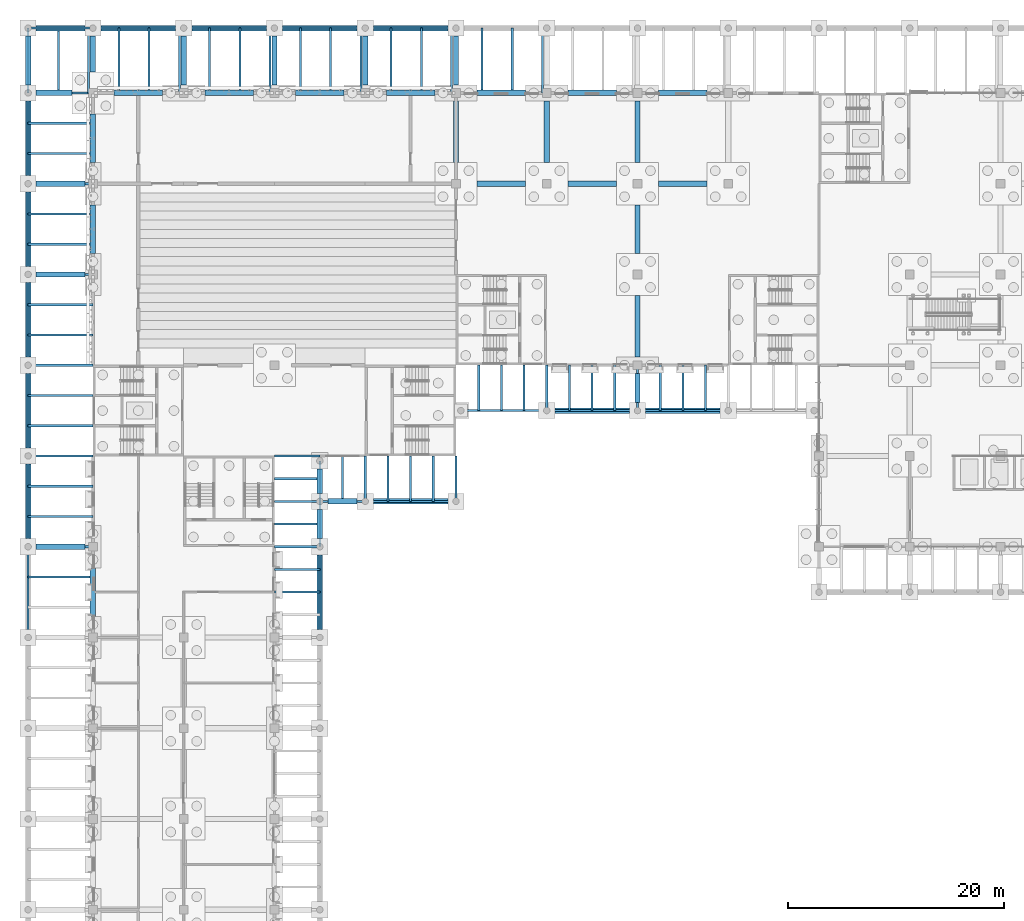
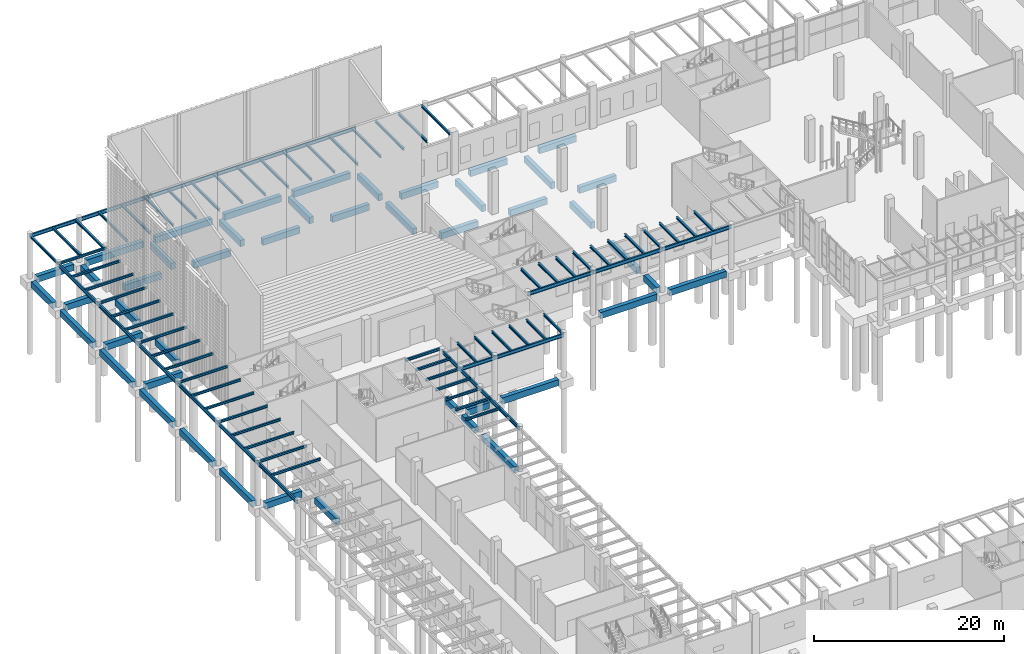
# One storey, part 11 of 82: 64 beams, 59 members.
"""IFC4 building model written with IfcOpenShell, lengths in metres."""

from ifc_helpers import new_model, si_unit, direction, frame, origin, origin_2d, place, context, subcontext, project, spatial, rectangle, i_section, extrude, material, material_profile, profile_set, type_object, element, save


model = new_model("IFC4")

# Units and contexts
model_context = context("Model", 3, precision=1e-05, world=origin(), true_north=direction((0.0, 1.0)))
body_context = subcontext(model_context, "Body", "Model", "MODEL_VIEW")
ifc_project = project(units=[si_unit("LENGTHUNIT", "METRE"), si_unit("AREAUNIT", "SQUARE_METRE"), si_unit("VOLUMEUNIT", "CUBIC_METRE"), si_unit("PLANEANGLEUNIT", "RADIAN"), si_unit("MASSUNIT", "GRAM", prefix="KILO")], contexts=[model_context])

# Site, building, storey
site_placement = place(None, origin())
site = spatial("IfcSite", under=ifc_project, at=site_placement, CompositionType="ELEMENT")
building_placement = place(site_placement, origin())
building = spatial("IfcBuilding", under=site, at=building_placement, Name="Almond Square Museum", CompositionType="ELEMENT")
storey_placement = place(building_placement, origin())
storey = spatial("IfcBuildingStorey", under=building, at=storey_placement, Name="L00", CompositionType="ELEMENT", Elevation=0.0)

# Beams
ifc_material_1 = material(Name="Structural steel S355", Category="steel")
ifc_material_profile_1 = material_profile(ifc_material_1, i_section(OverallWidth=0.19091796875, OverallDepth=0.45703125, WebThickness=0.009033203125, FlangeThickness=0.014404296875, at=origin_2d()))
ifc_profile_set_1 = profile_set([ifc_material_profile_1], Name="Structural steel S355")
beam_type_1 = type_object("IfcBeamType", Name="Eave beam W460x74", PredefinedType="BEAM", material=ifc_profile_set_1)
beam_1_placement = place(storey_placement, frame((0.0, 115.199951171875, 5.021484375), z_axis=(1.0, 0.0, 0.0), x_axis=(0.0, 1.0, 0.0)))
element("IfcBeam", 1, at=beam_1_placement, inside=storey, type_object=beam_type_1, Name="ARN roof edge beam 1", PredefinedType="BEAM", context=body_context, shape_type="SweptSolid", body=[
    extrude(i_section(OverallWidth=0.19091796875, OverallDepth=0.45703125, WebThickness=0.009033203125, FlangeThickness=0.014404296875, at=origin_2d()), origin(), (0.0, 0.0, 1.0), 6.0),
])
beam_2_placement = place(storey_placement, frame((6.0, 115.199951171875, 5.021484375), z_axis=(1.0, 0.0, 0.0), x_axis=(0.0, 1.0, 0.0)))
element("IfcBeam", 2, at=beam_2_placement, inside=storey, type_object=beam_type_1, Name="ARN roof edge beam 2", PredefinedType="BEAM", context=body_context, shape_type="SweptSolid", body=[
    extrude(i_section(OverallWidth=0.19091796875, OverallDepth=0.45703125, WebThickness=0.009033203125, FlangeThickness=0.014404296875, at=origin_2d()), origin(), (0.0, 0.0, 1.0), 8.39990234375),
])
beam_3_placement = place(storey_placement, frame((14.39990234375, 115.199951171875, 5.021484375), z_axis=(1.0, 0.0, 0.0), x_axis=(0.0, 1.0, 0.0)))
element("IfcBeam", 3, at=beam_3_placement, inside=storey, type_object=beam_type_1, Name="ARN roof edge beam 3", PredefinedType="BEAM", context=body_context, shape_type="SweptSolid", body=[
    extrude(i_section(OverallWidth=0.19091796875, OverallDepth=0.45703125, WebThickness=0.009033203125, FlangeThickness=0.014404296875, at=origin_2d()), origin(), (0.0, 0.0, 1.0), 8.400146484375),
])
beam_4_placement = place(storey_placement, frame((22.800048828125, 115.199951171875, 5.021484375), z_axis=(1.0, 0.0, 0.0), x_axis=(0.0, 1.0, 0.0)))
element("IfcBeam", 4, at=beam_4_placement, inside=storey, type_object=beam_type_1, Name="ARN roof edge beam 4", PredefinedType="BEAM", context=body_context, shape_type="SweptSolid", body=[
    extrude(i_section(OverallWidth=0.19091796875, OverallDepth=0.45703125, WebThickness=0.009033203125, FlangeThickness=0.014404296875, at=origin_2d()), origin(), (0.0, 0.0, 1.0), 8.39990234375),
])
beam_5_placement = place(storey_placement, frame((31.199951171875, 115.199951171875, 5.021484375), z_axis=(1.0, 0.0, 0.0), x_axis=(0.0, 1.0, 0.0)))
element("IfcBeam", 5, at=beam_5_placement, inside=storey, type_object=beam_type_1, Name="ARN roof edge beam 5", PredefinedType="BEAM", context=body_context, shape_type="SweptSolid", body=[
    extrude(i_section(OverallWidth=0.19091796875, OverallDepth=0.45703125, WebThickness=0.009033203125, FlangeThickness=0.014404296875, at=origin_2d()), origin(), (0.0, 0.0, 1.0), 8.400146484375),
])
beam_6_placement = place(storey_placement, frame((0.0, 58.800048828125, 5.021484375), z_axis=(0.0, 1.0, 0.0), x_axis=(-1.0, 0.0, 0.0)))
element("IfcBeam", 6, at=beam_6_placement, inside=storey, type_object=beam_type_1, Name="ARW roof edge beam 8", PredefinedType="BEAM", context=body_context, shape_type="SweptSolid", body=[
    extrude(i_section(OverallWidth=0.19091796875, OverallDepth=0.45703125, WebThickness=0.009033203125, FlangeThickness=0.014404296875, at=origin_2d()), origin(), (0.0, 0.0, 1.0), 8.39990234375),
])
beam_7_placement = place(storey_placement, frame((0.0, 67.199951171875, 5.021484375), z_axis=(0.0, 1.0, 0.0), x_axis=(-1.0, 0.0, 0.0)))
element("IfcBeam", 7, at=beam_7_placement, inside=storey, type_object=beam_type_1, Name="ARW roof edge beam 9", PredefinedType="BEAM", context=body_context, shape_type="SweptSolid", body=[
    extrude(i_section(OverallWidth=0.19091796875, OverallDepth=0.45703125, WebThickness=0.009033203125, FlangeThickness=0.014404296875, at=origin_2d()), origin(), (0.0, 0.0, 1.0), 8.400146484375),
])
for number, where, z_axis, x_axis, name in (
    (8, (0.0, 75.60009765625, 5.021484375), (0.0, 1.0, 0.0), (-1.0, 0.0, 0.0), "ARW roof edge beam 10"),
    (9, (0.0, 84.0, 5.021484375), (0.0, 1.0, 0.0), (-1.0, 0.0, 0.0), "ARW roof edge beam 11"),
):
    element("IfcBeam", number, at=place(storey_placement, frame(where, z_axis=z_axis, x_axis=x_axis)), inside=storey, type_object=beam_type_1, Name=name, PredefinedType="BEAM", context=body_context, shape_type="SweptSolid", body=[
        extrude(i_section(OverallWidth=0.19091796875, OverallDepth=0.45703125, WebThickness=0.009033203125, FlangeThickness=0.014404296875, at=origin_2d()), origin(), (0.0, 0.0, 1.0), 8.39990234375),
    ])
beam_8_placement = place(storey_placement, frame((0.0, 92.39990234375, 5.021484375), z_axis=(0.0, 1.0, 0.0), x_axis=(-1.0, 0.0, 0.0)))
element("IfcBeam", 10, at=beam_8_placement, inside=storey, type_object=beam_type_1, Name="ARW roof edge beam 12", PredefinedType="BEAM", context=body_context, shape_type="SweptSolid", body=[
    extrude(i_section(OverallWidth=0.19091796875, OverallDepth=0.45703125, WebThickness=0.009033203125, FlangeThickness=0.014404296875, at=origin_2d()), origin(), (0.0, 0.0, 1.0), 8.400146484375),
])
for number, where, z_axis, x_axis, name in (
    (11, (0.0, 100.800048828125, 5.021484375), (0.0, 1.0, 0.0), (-1.0, 0.0, 0.0), "ARW roof edge beam 13"),
    (12, (27.0, 58.800048828125, 5.021484375), (0.0, 1.0, 0.0), (-1.0, 0.0, 0.0), "LG-V4W roof edge beam 6"),
):
    element("IfcBeam", number, at=place(storey_placement, frame(where, z_axis=z_axis, x_axis=x_axis)), inside=storey, type_object=beam_type_1, Name=name, PredefinedType="BEAM", context=body_context, shape_type="SweptSolid", body=[
        extrude(i_section(OverallWidth=0.19091796875, OverallDepth=0.45703125, WebThickness=0.009033203125, FlangeThickness=0.014404296875, at=origin_2d()), origin(), (0.0, 0.0, 1.0), 8.39990234375),
    ])
beam_9_placement = place(storey_placement, frame((27.0, 67.199951171875, 5.021484375), z_axis=(0.0, 1.0, 0.0), x_axis=(-1.0, 0.0, 0.0)))
element("IfcBeam", 13, at=beam_9_placement, inside=storey, type_object=beam_type_1, Name="LG-V4W roof edge beam 7", PredefinedType="BEAM", context=body_context, shape_type="SweptSolid", body=[
    extrude(i_section(OverallWidth=0.19091796875, OverallDepth=0.45703125, WebThickness=0.009033203125, FlangeThickness=0.014404296875, at=origin_2d()), origin(), (0.0, 0.0, 1.0), 7.949951171875),
])
beam_10_placement = place(storey_placement, frame((27.0, 71.39990234375, 5.021484375), z_axis=(1.0, 0.0, 0.0), x_axis=(0.0, 1.0, 0.0)))
element("IfcBeam", 14, at=beam_10_placement, inside=storey, type_object=beam_type_1, Name="LG-V3 roof edge beam 1", PredefinedType="BEAM", context=body_context, shape_type="SweptSolid", body=[
    extrude(i_section(OverallWidth=0.19091796875, OverallDepth=0.45703125, WebThickness=0.009033203125, FlangeThickness=0.014404296875, at=origin_2d()), origin(), (0.0, 0.0, 1.0), 4.199951171875),
])
beam_11_placement = place(storey_placement, frame((31.199951171875, 71.39990234375, 5.021484375), z_axis=(1.0, 0.0, 0.0), x_axis=(0.0, 1.0, 0.0)))
element("IfcBeam", 15, at=beam_11_placement, inside=storey, type_object=beam_type_1, Name="LG-V3 roof edge beam 2", PredefinedType="BEAM", context=body_context, shape_type="SweptSolid", body=[
    extrude(i_section(OverallWidth=0.19091796875, OverallDepth=0.45703125, WebThickness=0.009033203125, FlangeThickness=0.014404296875, at=origin_2d()), origin(), (0.0, 0.0, 1.0), 8.400146484375),
])
beam_12_placement = place(storey_placement, frame((40.050048828125, 79.800048828125, 5.021484375), z_axis=(1.0, 0.0, 0.0), x_axis=(0.0, 1.0, 0.0)))
element("IfcBeam", 16, at=beam_12_placement, inside=storey, type_object=beam_type_1, Name="LG-V4N roof edge beam 1", PredefinedType="BEAM", context=body_context, shape_type="SweptSolid", body=[
    extrude(i_section(OverallWidth=0.19091796875, OverallDepth=0.45703125, WebThickness=0.009033203125, FlangeThickness=0.014404296875, at=origin_2d()), origin(), (0.0, 0.0, 1.0), 7.949951171875),
])
beam_13_placement = place(storey_placement, frame((48.0, 79.800048828125, 5.021484375), z_axis=(1.0, 0.0, 0.0), x_axis=(0.0, 1.0, 0.0)))
element("IfcBeam", 17, at=beam_13_placement, inside=storey, type_object=beam_type_1, Name="LG-V4N roof edge beam 2", PredefinedType="BEAM", context=body_context, shape_type="SweptSolid", body=[
    extrude(i_section(OverallWidth=0.19091796875, OverallDepth=0.45703125, WebThickness=0.009033203125, FlangeThickness=0.014404296875, at=origin_2d()), origin(), (0.0, 0.0, 1.0), 8.39990234375),
])
beam_14_placement = place(storey_placement, frame((56.39990234375, 79.800048828125, 5.021484375), z_axis=(1.0, 0.0, 0.0), x_axis=(0.0, 1.0, 0.0)))
element("IfcBeam", 18, at=beam_14_placement, inside=storey, type_object=beam_type_1, Name="LG-V4N roof edge beam 3", PredefinedType="BEAM", context=body_context, shape_type="SweptSolid", body=[
    extrude(i_section(OverallWidth=0.19091796875, OverallDepth=0.45703125, WebThickness=0.009033203125, FlangeThickness=0.014404296875, at=origin_2d()), origin(), (0.0, 0.0, 1.0), 8.400146484375),
])
ifc_material_2 = material(Name="Concrete C35/45", Category="concrete")
ifc_material_profile_2 = material_profile(ifc_material_2, rectangle(XDim=0.5, YDim=0.800048828125, at=origin_2d()))
ifc_profile_set_2 = profile_set([ifc_material_profile_2], Name="Concrete C35/45")
beam_type_2 = type_object("IfcBeamType", Name="RC ground beam 500 x 800 C35/45", PredefinedType="BEAM", material=ifc_profile_set_2)
beam_15_placement = place(storey_placement, frame((0.75, 67.199951171875, -0.699951171875), z_axis=(1.0, 0.0, 0.0), x_axis=(0.0, 1.0, 0.0)))
element("IfcBeam", 19, at=beam_15_placement, inside=storey, type_object=beam_type_2, Name="Ground beam 088", PredefinedType="BEAM", context=body_context, shape_type="SweptSolid", body=[
    extrude(rectangle(XDim=0.5, YDim=0.800048828125, at=origin_2d()), origin(), (0.0, 0.0, 1.0), 4.5),
])
beam_16_placement = place(storey_placement, frame((27.75, 71.39990234375, -0.699951171875), z_axis=(1.0, 0.0, 0.0), x_axis=(0.0, 1.0, 0.0)))
element("IfcBeam", 20, at=beam_16_placement, inside=storey, type_object=beam_type_2, Name="Ground beam 097", PredefinedType="BEAM", context=body_context, shape_type="SweptSolid", body=[
    extrude(rectangle(XDim=0.5, YDim=0.800048828125, at=origin_2d()), origin(), (0.0, 0.0, 1.0), 2.699951171875),
])
beam_17_placement = place(storey_placement, frame((31.949951171875, 71.39990234375, -0.699951171875), z_axis=(1.0, 0.0, 0.0), x_axis=(0.0, 1.0, 0.0)))
element("IfcBeam", 21, at=beam_17_placement, inside=storey, type_object=beam_type_2, Name="Ground beam 098", PredefinedType="BEAM", context=body_context, shape_type="SweptSolid", body=[
    extrude(rectangle(XDim=0.5, YDim=0.800048828125, at=origin_2d()), origin(), (0.0, 0.0, 1.0), 6.900146484375),
])
beam_18_placement = place(storey_placement, frame((48.75, 79.800048828125, -0.699951171875), z_axis=(1.0, 0.0, 0.0), x_axis=(0.0, 1.0, 0.0)))
element("IfcBeam", 22, at=beam_18_placement, inside=storey, type_object=beam_type_2, Name="Ground beam 103", PredefinedType="BEAM", context=body_context, shape_type="SweptSolid", body=[
    extrude(rectangle(XDim=0.5, YDim=0.800048828125, at=origin_2d()), origin(), (0.0, 0.0, 1.0), 6.89990234375),
])
beam_19_placement = place(storey_placement, frame((57.14990234375, 79.800048828125, -0.699951171875), z_axis=(1.0, 0.0, 0.0), x_axis=(0.0, 1.0, 0.0)))
element("IfcBeam", 23, at=beam_19_placement, inside=storey, type_object=beam_type_2, Name="Ground beam 104", PredefinedType="BEAM", context=body_context, shape_type="SweptSolid", body=[
    extrude(rectangle(XDim=0.5, YDim=0.800048828125, at=origin_2d()), origin(), (0.0, 0.0, 1.0), 6.900146484375),
])
for number, where, z_axis, x_axis, name in (
    (24, (0.75, 92.39990234375, -0.699951171875), (1.0, 0.0, 0.0), (0.0, 1.0, 0.0), "Ground beam 113"),
    (25, (0.75, 100.800048828125, -0.699951171875), (1.0, 0.0, 0.0), (0.0, 1.0, 0.0), "Ground beam 124"),
    (26, (41.550048828125, 100.800048828125, -0.699951171875), (1.0, 0.0, 0.0), (0.0, 1.0, 0.0), "Ground beam 125"),
    (27, (49.949951171875, 100.800048828125, -0.699951171875), (1.0, 0.0, 0.0), (0.0, 1.0, 0.0), "Ground beam 126"),
    (28, (58.35009765625, 100.800048828125, -0.699951171875), (1.0, 0.0, 0.0), (0.0, 1.0, 0.0), "Ground beam 127"),
):
    element("IfcBeam", number, at=place(storey_placement, frame(where, z_axis=z_axis, x_axis=x_axis)), inside=storey, type_object=beam_type_2, Name=name, PredefinedType="BEAM", context=body_context, shape_type="SweptSolid", body=[
        extrude(rectangle(XDim=0.5, YDim=0.800048828125, at=origin_2d()), origin(), (0.0, 0.0, 1.0), 4.5),
    ])
beam_20_placement = place(storey_placement, frame((0.75, 109.199951171875, -0.699951171875), z_axis=(1.0, 0.0, 0.0), x_axis=(0.0, 1.0, 0.0)))
element("IfcBeam", 29, at=beam_20_placement, inside=storey, type_object=beam_type_2, Name="Ground beam 132", PredefinedType="BEAM", context=body_context, shape_type="SweptSolid", body=[
    extrude(rectangle(XDim=0.5, YDim=0.800048828125, at=origin_2d()), origin(), (0.0, 0.0, 1.0), 3.300048828125),
])
for number, where, z_axis, x_axis, name in (
    (30, (7.949951171875, 109.199951171875, -0.699951171875), (1.0, 0.0, 0.0), (0.0, 1.0, 0.0), "Ground beam 133"),
    (31, (16.35009765625, 109.199951171875, -0.699951171875), (1.0, 0.0, 0.0), (0.0, 1.0, 0.0), "Ground beam 134"),
    (32, (24.75, 109.199951171875, -0.699951171875), (1.0, 0.0, 0.0), (0.0, 1.0, 0.0), "Ground beam 135"),
    (33, (33.14990234375, 109.199951171875, -0.699951171875), (1.0, 0.0, 0.0), (0.0, 1.0, 0.0), "Ground beam 136"),
    (34, (41.550048828125, 109.199951171875, -0.699951171875), (1.0, 0.0, 0.0), (0.0, 1.0, 0.0), "Ground beam 137"),
    (35, (49.949951171875, 109.199951171875, -0.699951171875), (1.0, 0.0, 0.0), (0.0, 1.0, 0.0), "Ground beam 138"),
    (36, (58.35009765625, 109.199951171875, -0.699951171875), (1.0, 0.0, 0.0), (0.0, 1.0, 0.0), "Ground beam 139"),
    (37, (0.75, 115.199951171875, -0.699951171875), (1.0, 0.0, 0.0), (0.0, 1.0, 0.0), "Ground beam 144"),
):
    element("IfcBeam", number, at=place(storey_placement, frame(where, z_axis=z_axis, x_axis=x_axis)), inside=storey, type_object=beam_type_2, Name=name, PredefinedType="BEAM", context=body_context, shape_type="SweptSolid", body=[
        extrude(rectangle(XDim=0.5, YDim=0.800048828125, at=origin_2d()), origin(), (0.0, 0.0, 1.0), 4.5),
    ])
beam_21_placement = place(storey_placement, frame((6.75, 115.199951171875, -0.699951171875), z_axis=(1.0, 0.0, 0.0), x_axis=(0.0, 1.0, 0.0)))
element("IfcBeam", 38, at=beam_21_placement, inside=storey, type_object=beam_type_2, Name="Ground beam 145", PredefinedType="BEAM", context=body_context, shape_type="SweptSolid", body=[
    extrude(rectangle(XDim=0.5, YDim=0.800048828125, at=origin_2d()), origin(), (0.0, 0.0, 1.0), 6.89990234375),
])
beam_22_placement = place(storey_placement, frame((15.14990234375, 115.199951171875, -0.699951171875), z_axis=(1.0, 0.0, 0.0), x_axis=(0.0, 1.0, 0.0)))
element("IfcBeam", 39, at=beam_22_placement, inside=storey, type_object=beam_type_2, Name="Ground beam 146", PredefinedType="BEAM", context=body_context, shape_type="SweptSolid", body=[
    extrude(rectangle(XDim=0.5, YDim=0.800048828125, at=origin_2d()), origin(), (0.0, 0.0, 1.0), 6.900146484375),
])
beam_23_placement = place(storey_placement, frame((23.550048828125, 115.199951171875, -0.699951171875), z_axis=(1.0, 0.0, 0.0), x_axis=(0.0, 1.0, 0.0)))
element("IfcBeam", 40, at=beam_23_placement, inside=storey, type_object=beam_type_2, Name="Ground beam 147", PredefinedType="BEAM", context=body_context, shape_type="SweptSolid", body=[
    extrude(rectangle(XDim=0.5, YDim=0.800048828125, at=origin_2d()), origin(), (0.0, 0.0, 1.0), 6.89990234375),
])
for number, where, z_axis, x_axis, name in (
    (41, (31.949951171875, 115.199951171875, -0.699951171875), (1.0, 0.0, 0.0), (0.0, 1.0, 0.0), "Ground beam 148"),
    (42, (0.0, 67.949951171875, -0.699951171875), (0.0, 1.0, 0.0), (-1.0, 0.0, 0.0), "Ground beam 172"),
):
    element("IfcBeam", number, at=place(storey_placement, frame(where, z_axis=z_axis, x_axis=x_axis)), inside=storey, type_object=beam_type_2, Name=name, PredefinedType="BEAM", context=body_context, shape_type="SweptSolid", body=[
        extrude(rectangle(XDim=0.5, YDim=0.800048828125, at=origin_2d()), origin(), (0.0, 0.0, 1.0), 6.900146484375),
    ])
for number, where, z_axis, x_axis, name in (
    (43, (0.0, 76.35009765625, -0.699951171875), (0.0, 1.0, 0.0), (-1.0, 0.0, 0.0), "Ground beam 173"),
    (44, (0.0, 84.75, -0.699951171875), (0.0, 1.0, 0.0), (-1.0, 0.0, 0.0), "Ground beam 174"),
):
    element("IfcBeam", number, at=place(storey_placement, frame(where, z_axis=z_axis, x_axis=x_axis)), inside=storey, type_object=beam_type_2, Name=name, PredefinedType="BEAM", context=body_context, shape_type="SweptSolid", body=[
        extrude(rectangle(XDim=0.5, YDim=0.800048828125, at=origin_2d()), origin(), (0.0, 0.0, 1.0), 6.89990234375),
    ])
beam_24_placement = place(storey_placement, frame((0.0, 93.14990234375, -0.699951171875), z_axis=(0.0, 1.0, 0.0), x_axis=(-1.0, 0.0, 0.0)))
element("IfcBeam", 45, at=beam_24_placement, inside=storey, type_object=beam_type_2, Name="Ground beam 175", PredefinedType="BEAM", context=body_context, shape_type="SweptSolid", body=[
    extrude(rectangle(XDim=0.5, YDim=0.800048828125, at=origin_2d()), origin(), (0.0, 0.0, 1.0), 6.900146484375),
])
beam_25_placement = place(storey_placement, frame((0.0, 101.550048828125, -0.699951171875), z_axis=(0.0, 1.0, 0.0), x_axis=(-1.0, 0.0, 0.0)))
element("IfcBeam", 46, at=beam_25_placement, inside=storey, type_object=beam_type_2, Name="Ground beam 176", PredefinedType="BEAM", context=body_context, shape_type="SweptSolid", body=[
    extrude(rectangle(XDim=0.5, YDim=0.800048828125, at=origin_2d()), origin(), (0.0, 0.0, 1.0), 6.89990234375),
])
for number, where, z_axis, x_axis, name in (
    (47, (0.0, 109.949951171875, -0.699951171875), (0.0, 1.0, 0.0), (-1.0, 0.0, 0.0), "Ground beam 177"),
    (48, (6.0, 60.75, -0.699951171875), (0.0, 1.0, 0.0), (-1.0, 0.0, 0.0), "Ground beam 183"),
    (49, (6.0, 94.35009765625, -0.699951171875), (0.0, 1.0, 0.0), (-1.0, 0.0, 0.0), "Ground beam 184"),
    (50, (6.0, 102.75, -0.699951171875), (0.0, 1.0, 0.0), (-1.0, 0.0, 0.0), "Ground beam 185"),
):
    element("IfcBeam", number, at=place(storey_placement, frame(where, z_axis=z_axis, x_axis=x_axis)), inside=storey, type_object=beam_type_2, Name=name, PredefinedType="BEAM", context=body_context, shape_type="SweptSolid", body=[
        extrude(rectangle(XDim=0.5, YDim=0.800048828125, at=origin_2d()), origin(), (0.0, 0.0, 1.0), 4.5),
    ])
beam_26_placement = place(storey_placement, frame((6.0, 111.14990234375, -0.699951171875), z_axis=(0.0, 1.0, 0.0), x_axis=(-1.0, 0.0, 0.0)))
element("IfcBeam", 51, at=beam_26_placement, inside=storey, type_object=beam_type_2, Name="Ground beam 186", PredefinedType="BEAM", context=body_context, shape_type="SweptSolid", body=[
    extrude(rectangle(XDim=0.5, YDim=0.800048828125, at=origin_2d()), origin(), (0.0, 0.0, 1.0), 3.300048828125),
])
for number, where, z_axis, x_axis, name in (
    (52, (14.39990234375, 109.949951171875, -0.699951171875), (0.0, 1.0, 0.0), (-1.0, 0.0, 0.0), "Ground beam 190"),
    (53, (22.800048828125, 109.949951171875, -0.699951171875), (0.0, 1.0, 0.0), (-1.0, 0.0, 0.0), "Ground beam 195"),
):
    element("IfcBeam", number, at=place(storey_placement, frame(where, z_axis=z_axis, x_axis=x_axis)), inside=storey, type_object=beam_type_2, Name=name, PredefinedType="BEAM", context=body_context, shape_type="SweptSolid", body=[
        extrude(rectangle(XDim=0.5, YDim=0.800048828125, at=origin_2d()), origin(), (0.0, 0.0, 1.0), 4.5),
    ])
beam_27_placement = place(storey_placement, frame((27.0, 59.550048828125, -0.699951171875), z_axis=(0.0, 1.0, 0.0), x_axis=(-1.0, 0.0, 0.0)))
element("IfcBeam", 54, at=beam_27_placement, inside=storey, type_object=beam_type_2, Name="Ground beam 202", PredefinedType="BEAM", context=body_context, shape_type="SweptSolid", body=[
    extrude(rectangle(XDim=0.5, YDim=0.800048828125, at=origin_2d()), origin(), (0.0, 0.0, 1.0), 6.89990234375),
])
beam_28_placement = place(storey_placement, frame((27.0, 67.949951171875, -0.699951171875), z_axis=(0.0, 1.0, 0.0), x_axis=(-1.0, 0.0, 0.0)))
element("IfcBeam", 55, at=beam_28_placement, inside=storey, type_object=beam_type_2, Name="Ground beam 203", PredefinedType="BEAM", context=body_context, shape_type="SweptSolid", body=[
    extrude(rectangle(XDim=0.5, YDim=0.800048828125, at=origin_2d()), origin(), (0.0, 0.0, 1.0), 2.699951171875),
])
beam_29_placement = place(storey_placement, frame((27.0, 72.14990234375, -0.699951171875), z_axis=(0.0, 1.0, 0.0), x_axis=(-1.0, 0.0, 0.0)))
element("IfcBeam", 56, at=beam_29_placement, inside=storey, type_object=beam_type_2, Name="Ground beam 204", PredefinedType="BEAM", context=body_context, shape_type="SweptSolid", body=[
    extrude(rectangle(XDim=0.5, YDim=0.800048828125, at=origin_2d()), origin(), (0.0, 0.0, 1.0), 2.25),
])
beam_30_placement = place(storey_placement, frame((31.199951171875, 109.949951171875, -0.699951171875), z_axis=(0.0, 1.0, 0.0), x_axis=(-1.0, 0.0, 0.0)))
element("IfcBeam", 57, at=beam_30_placement, inside=storey, type_object=beam_type_2, Name="Ground beam 208", PredefinedType="BEAM", context=body_context, shape_type="SweptSolid", body=[
    extrude(rectangle(XDim=0.5, YDim=0.800048828125, at=origin_2d()), origin(), (0.0, 0.0, 1.0), 4.5),
])
beam_31_placement = place(storey_placement, frame((39.60009765625, 102.75, -0.699951171875), z_axis=(0.0, 1.0, 0.0), x_axis=(-1.0, 0.0, 0.0)))
element("IfcBeam", 58, at=beam_31_placement, inside=storey, type_object=beam_type_2, Name="Ground beam 212", PredefinedType="BEAM", context=body_context, shape_type="SweptSolid", body=[
    extrude(rectangle(XDim=0.5, YDim=0.800048828125, at=origin_2d()), origin(), (0.0, 0.0, 1.0), 5.699951171875),
])
beam_32_placement = place(storey_placement, frame((39.60009765625, 109.949951171875, -0.699951171875), z_axis=(0.0, 1.0, 0.0), x_axis=(-1.0, 0.0, 0.0)))
element("IfcBeam", 59, at=beam_32_placement, inside=storey, type_object=beam_type_2, Name="Ground beam 213", PredefinedType="BEAM", context=body_context, shape_type="SweptSolid", body=[
    extrude(rectangle(XDim=0.5, YDim=0.800048828125, at=origin_2d()), origin(), (0.0, 0.0, 1.0), 4.5),
])
beam_33_placement = place(storey_placement, frame((48.0, 102.75, -0.699951171875), z_axis=(0.0, 1.0, 0.0), x_axis=(-1.0, 0.0, 0.0)))
element("IfcBeam", 60, at=beam_33_placement, inside=storey, type_object=beam_type_2, Name="Ground beam 217", PredefinedType="BEAM", context=body_context, shape_type="SweptSolid", body=[
    extrude(rectangle(XDim=0.5, YDim=0.800048828125, at=origin_2d()), origin(), (0.0, 0.0, 1.0), 5.699951171875),
])
beam_34_placement = place(storey_placement, frame((56.39990234375, 80.550048828125, -0.699951171875), z_axis=(0.0, 1.0, 0.0), x_axis=(-1.0, 0.0, 0.0)))
element("IfcBeam", 61, at=beam_34_placement, inside=storey, type_object=beam_type_2, Name="Ground beam 219", PredefinedType="BEAM", context=body_context, shape_type="SweptSolid", body=[
    extrude(rectangle(XDim=0.5, YDim=0.800048828125, at=origin_2d()), origin(), (0.0, 0.0, 1.0), 2.699951171875),
])
beam_35_placement = place(storey_placement, frame((56.39990234375, 84.75, -0.699951171875), z_axis=(0.0, 1.0, 0.0), x_axis=(-1.0, 0.0, 0.0)))
element("IfcBeam", 62, at=beam_35_placement, inside=storey, type_object=beam_type_2, Name="Ground beam 220", PredefinedType="BEAM", context=body_context, shape_type="SweptSolid", body=[
    extrude(rectangle(XDim=0.5, YDim=0.800048828125, at=origin_2d()), origin(), (0.0, 0.0, 1.0), 5.699951171875),
])
beam_36_placement = place(storey_placement, frame((56.39990234375, 94.35009765625, -0.699951171875), z_axis=(0.0, 1.0, 0.0), x_axis=(-1.0, 0.0, 0.0)))
element("IfcBeam", 63, at=beam_36_placement, inside=storey, type_object=beam_type_2, Name="Ground beam 221", PredefinedType="BEAM", context=body_context, shape_type="SweptSolid", body=[
    extrude(rectangle(XDim=0.5, YDim=0.800048828125, at=origin_2d()), origin(), (0.0, 0.0, 1.0), 4.5),
])
beam_37_placement = place(storey_placement, frame((56.39990234375, 102.75, -0.699951171875), z_axis=(0.0, 1.0, 0.0), x_axis=(-1.0, 0.0, 0.0)))
element("IfcBeam", 64, at=beam_37_placement, inside=storey, type_object=beam_type_2, Name="Ground beam 222", PredefinedType="BEAM", context=body_context, shape_type="SweptSolid", body=[
    extrude(rectangle(XDim=0.5, YDim=0.800048828125, at=origin_2d()), origin(), (0.0, 0.0, 1.0), 5.699951171875),
])

# Members
ifc_material_3 = material(Name="Structural steel S355", Category="steel")
ifc_material_profile_3 = material_profile(ifc_material_3, i_section(OverallWidth=0.202880859375, OverallDepth=0.302001953125, WebThickness=0.007568359375, FlangeThickness=0.01318359375, at=origin_2d()))
ifc_profile_set_3 = profile_set([ifc_material_profile_3], Name="Structural steel S355")
member_type = type_object("IfcMemberType", Name="Steel joist W310x60", PredefinedType="MEMBER", material=ifc_profile_set_3)
for number, where, z_axis, x_axis, name in (
    (65, (0.0, 109.199951171875, 5.09912109375), (0.0, 1.0, 0.0), (-1.0, 0.0, 0.0), "ARN roof joist 1"),
    (66, (2.800048828125, 109.199951171875, 5.09912109375), (0.0, 1.0, 0.0), (-1.0, 0.0, 0.0), "ARN roof joist 2"),
    (67, (5.60009765625, 109.199951171875, 5.09912109375), (0.0, 1.0, 0.0), (-1.0, 0.0, 0.0), "ARN roof joist 3"),
    (68, (8.39990234375, 109.199951171875, 5.09912109375), (0.0, 1.0, 0.0), (-1.0, 0.0, 0.0), "ARN roof joist 4"),
    (69, (11.199951171875, 109.199951171875, 5.09912109375), (0.0, 1.0, 0.0), (-1.0, 0.0, 0.0), "ARN roof joist 5"),
    (70, (14.0, 109.199951171875, 5.09912109375), (0.0, 1.0, 0.0), (-1.0, 0.0, 0.0), "ARN roof joist 6"),
    (71, (16.800048828125, 109.199951171875, 5.09912109375), (0.0, 1.0, 0.0), (-1.0, 0.0, 0.0), "ARN roof joist 7"),
    (72, (19.60009765625, 109.199951171875, 5.09912109375), (0.0, 1.0, 0.0), (-1.0, 0.0, 0.0), "ARN roof joist 8"),
    (73, (22.39990234375, 109.199951171875, 5.09912109375), (0.0, 1.0, 0.0), (-1.0, 0.0, 0.0), "ARN roof joist 9"),
    (74, (25.199951171875, 109.199951171875, 5.09912109375), (0.0, 1.0, 0.0), (-1.0, 0.0, 0.0), "ARN roof joist 10"),
    (75, (28.0, 109.199951171875, 5.09912109375), (0.0, 1.0, 0.0), (-1.0, 0.0, 0.0), "ARN roof joist 11"),
    (76, (30.800048828125, 109.199951171875, 5.09912109375), (0.0, 1.0, 0.0), (-1.0, 0.0, 0.0), "ARN roof joist 12"),
    (77, (33.60009765625, 109.199951171875, 5.09912109375), (0.0, 1.0, 0.0), (-1.0, 0.0, 0.0), "ARN roof joist 13"),
    (78, (36.39990234375, 109.199951171875, 5.09912109375), (0.0, 1.0, 0.0), (-1.0, 0.0, 0.0), "ARN roof joist 14"),
    (79, (39.199951171875, 109.199951171875, 5.09912109375), (0.0, 1.0, 0.0), (-1.0, 0.0, 0.0), "ARN roof joist 15"),
    (80, (42.0, 109.199951171875, 5.09912109375), (0.0, 1.0, 0.0), (-1.0, 0.0, 0.0), "ARN roof joist 16"),
    (81, (44.800048828125, 109.199951171875, 5.09912109375), (0.0, 1.0, 0.0), (-1.0, 0.0, 0.0), "ARN roof joist 17"),
    (82, (47.60009765625, 109.199951171875, 5.09912109375), (0.0, 1.0, 0.0), (-1.0, 0.0, 0.0), "ARN roof joist 18"),
    (83, (6.0, 64.39990234375, 5.09912109375), (-1.0, 0.0, 0.0), (0.0, -1.0, 0.0), "ARW roof joist 24"),
    (84, (6.0, 67.199951171875, 5.09912109375), (-1.0, 0.0, 0.0), (0.0, -1.0, 0.0), "ARW roof joist 25"),
    (85, (6.0, 70.0, 5.09912109375), (-1.0, 0.0, 0.0), (0.0, -1.0, 0.0), "ARW roof joist 26"),
    (86, (6.0, 72.800048828125, 5.09912109375), (-1.0, 0.0, 0.0), (0.0, -1.0, 0.0), "ARW roof joist 27"),
    (87, (6.0, 75.60009765625, 5.09912109375), (-1.0, 0.0, 0.0), (0.0, -1.0, 0.0), "ARW roof joist 28"),
    (88, (6.0, 78.39990234375, 5.09912109375), (-1.0, 0.0, 0.0), (0.0, -1.0, 0.0), "ARW roof joist 29"),
    (89, (6.0, 81.199951171875, 5.09912109375), (-1.0, 0.0, 0.0), (0.0, -1.0, 0.0), "ARW roof joist 30"),
    (90, (6.0, 84.0, 5.09912109375), (-1.0, 0.0, 0.0), (0.0, -1.0, 0.0), "ARW roof joist 31"),
    (91, (6.0, 86.800048828125, 5.09912109375), (-1.0, 0.0, 0.0), (0.0, -1.0, 0.0), "ARW roof joist 32"),
    (92, (6.0, 89.60009765625, 5.09912109375), (-1.0, 0.0, 0.0), (0.0, -1.0, 0.0), "ARW roof joist 33"),
    (93, (6.0, 92.39990234375, 5.09912109375), (-1.0, 0.0, 0.0), (0.0, -1.0, 0.0), "ARW roof joist 34"),
    (94, (6.0, 95.199951171875, 5.09912109375), (-1.0, 0.0, 0.0), (0.0, -1.0, 0.0), "ARW roof joist 35"),
    (95, (6.0, 98.0, 5.09912109375), (-1.0, 0.0, 0.0), (0.0, -1.0, 0.0), "ARW roof joist 36"),
    (96, (6.0, 100.800048828125, 5.09912109375), (-1.0, 0.0, 0.0), (0.0, -1.0, 0.0), "ARW roof joist 37"),
    (97, (6.0, 103.60009765625, 5.09912109375), (-1.0, 0.0, 0.0), (0.0, -1.0, 0.0), "ARW roof joist 38"),
    (98, (6.0, 106.39990234375, 5.09912109375), (-1.0, 0.0, 0.0), (0.0, -1.0, 0.0), "ARW roof joist 39"),
    (99, (6.0, 109.199951171875, 5.09912109375), (-1.0, 0.0, 0.0), (0.0, -1.0, 0.0), "ARW roof joist 40"),
):
    element("IfcMember", number, at=place(storey_placement, frame(where, z_axis=z_axis, x_axis=x_axis)), inside=storey, type_object=member_type, Name=name, PredefinedType="MEMBER", context=body_context, shape_type="SweptSolid", body=[
        extrude(i_section(OverallWidth=0.202880859375, OverallDepth=0.302001953125, WebThickness=0.007568359375, FlangeThickness=0.01318359375, at=origin_2d()), origin(), (0.0, 0.0, 1.0), 6.0),
    ])
for number, where, z_axis, x_axis, name in (
    (100, (22.800048828125, 63.0, 5.09912109375), (1.0, 0.0, 0.0), (0.0, 1.0, 0.0), "LG-V4W roof joist 23"),
    (101, (22.800048828125, 65.10009765625, 5.09912109375), (1.0, 0.0, 0.0), (0.0, 1.0, 0.0), "LG-V4W roof joist 24"),
    (102, (22.800048828125, 67.199951171875, 5.09912109375), (1.0, 0.0, 0.0), (0.0, 1.0, 0.0), "LG-V4W roof joist 25"),
    (103, (22.800048828125, 69.300048828125, 5.09912109375), (1.0, 0.0, 0.0), (0.0, 1.0, 0.0), "LG-V4W roof joist 26"),
    (104, (22.800048828125, 71.39990234375, 5.09912109375), (1.0, 0.0, 0.0), (0.0, 1.0, 0.0), "LG-V4W roof joist 27"),
    (105, (22.800048828125, 73.5, 5.09912109375), (1.0, 0.0, 0.0), (0.0, 1.0, 0.0), "LG-V4W roof joist 28"),
    (106, (22.800048828125, 75.60009765625, 5.09912109375), (1.0, 0.0, 0.0), (0.0, 1.0, 0.0), "LG-V4W roof joist 29"),
):
    element("IfcMember", number, at=place(storey_placement, frame(where, z_axis=z_axis, x_axis=x_axis)), inside=storey, type_object=member_type, Name=name, PredefinedType="MEMBER", context=body_context, shape_type="SweptSolid", body=[
        extrude(i_section(OverallWidth=0.202880859375, OverallDepth=0.302001953125, WebThickness=0.007568359375, FlangeThickness=0.01318359375, at=origin_2d()), origin(), (0.0, 0.0, 1.0), 4.199951171875),
    ])
for number, where, z_axis, x_axis, name in (
    (107, (29.10009765625, 75.60009765625, 5.09912109375), (0.0, -1.0, 0.0), (1.0, 0.0, 0.0), "LG-V3 roof joist 2"),
    (108, (31.199951171875, 75.60009765625, 5.09912109375), (0.0, -1.0, 0.0), (1.0, 0.0, 0.0), "LG-V3 roof joist 3"),
    (109, (33.300048828125, 75.60009765625, 5.09912109375), (0.0, -1.0, 0.0), (1.0, 0.0, 0.0), "LG-V3 roof joist 4"),
    (110, (35.39990234375, 75.60009765625, 5.09912109375), (0.0, -1.0, 0.0), (1.0, 0.0, 0.0), "LG-V3 roof joist 5"),
    (111, (37.5, 75.60009765625, 5.09912109375), (0.0, -1.0, 0.0), (1.0, 0.0, 0.0), "LG-V3 roof joist 6"),
    (112, (39.60009765625, 75.60009765625, 5.09912109375), (0.0, -1.0, 0.0), (1.0, 0.0, 0.0), "LG-V3 roof joist 7"),
):
    element("IfcMember", number, at=place(storey_placement, frame(where, z_axis=z_axis, x_axis=x_axis)), inside=storey, type_object=member_type, Name=name, PredefinedType="MEMBER", context=body_context, shape_type="SweptSolid", body=[
        extrude(i_section(OverallWidth=0.202880859375, OverallDepth=0.302001953125, WebThickness=0.007568359375, FlangeThickness=0.01318359375, at=origin_2d()), origin(), (0.0, 0.0, 1.0), 4.2001953125),
    ])
for number, where, z_axis, x_axis, name in (
    (113, (41.699951171875, 84.0, 5.09912109375), (0.0, -1.0, 0.0), (1.0, 0.0, 0.0), "LG-V4N roof joist 2"),
    (114, (43.800048828125, 84.0, 5.09912109375), (0.0, -1.0, 0.0), (1.0, 0.0, 0.0), "LG-V4N roof joist 3"),
    (115, (45.89990234375, 84.0, 5.09912109375), (0.0, -1.0, 0.0), (1.0, 0.0, 0.0), "LG-V4N roof joist 4"),
    (116, (48.0, 84.0, 5.09912109375), (0.0, -1.0, 0.0), (1.0, 0.0, 0.0), "LG-V4N roof joist 5"),
    (117, (50.10009765625, 84.0, 5.09912109375), (0.0, -1.0, 0.0), (1.0, 0.0, 0.0), "LG-V4N roof joist 6"),
    (118, (52.199951171875, 84.0, 5.09912109375), (0.0, -1.0, 0.0), (1.0, 0.0, 0.0), "LG-V4N roof joist 7"),
    (119, (54.300048828125, 84.0, 5.09912109375), (0.0, -1.0, 0.0), (1.0, 0.0, 0.0), "LG-V4N roof joist 8"),
    (120, (56.39990234375, 84.0, 5.09912109375), (0.0, -1.0, 0.0), (1.0, 0.0, 0.0), "LG-V4N roof joist 9"),
    (121, (58.5, 84.0, 5.09912109375), (0.0, -1.0, 0.0), (1.0, 0.0, 0.0), "LG-V4N roof joist 10"),
    (122, (60.60009765625, 84.0, 5.09912109375), (0.0, -1.0, 0.0), (1.0, 0.0, 0.0), "LG-V4N roof joist 11"),
    (123, (62.699951171875, 84.0, 5.09912109375), (0.0, -1.0, 0.0), (1.0, 0.0, 0.0), "LG-V4N roof joist 12"),
):
    element("IfcMember", number, at=place(storey_placement, frame(where, z_axis=z_axis, x_axis=x_axis)), inside=storey, type_object=member_type, Name=name, PredefinedType="MEMBER", context=body_context, shape_type="SweptSolid", body=[
        extrude(i_section(OverallWidth=0.202880859375, OverallDepth=0.302001953125, WebThickness=0.007568359375, FlangeThickness=0.01318359375, at=origin_2d()), origin(), (0.0, 0.0, 1.0), 4.199951171875),
    ])

save(model, "model.ifc")
